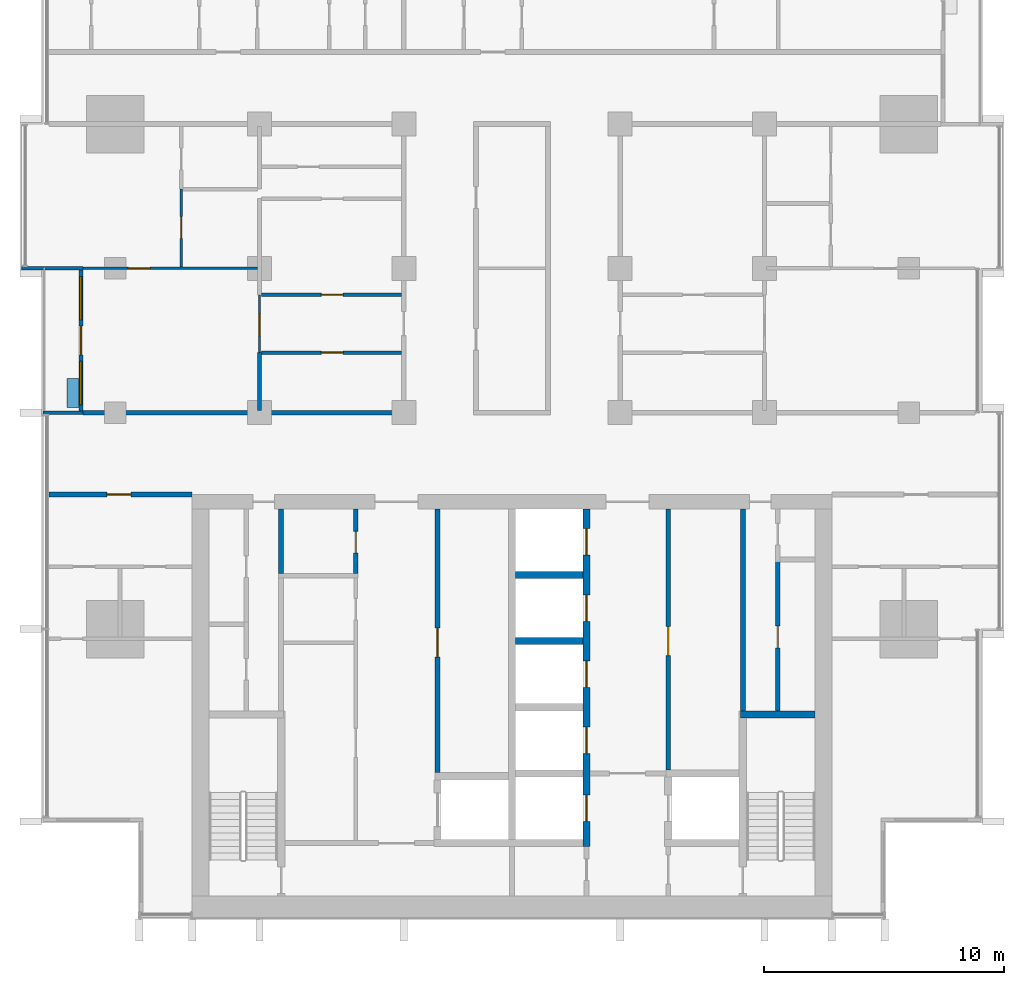
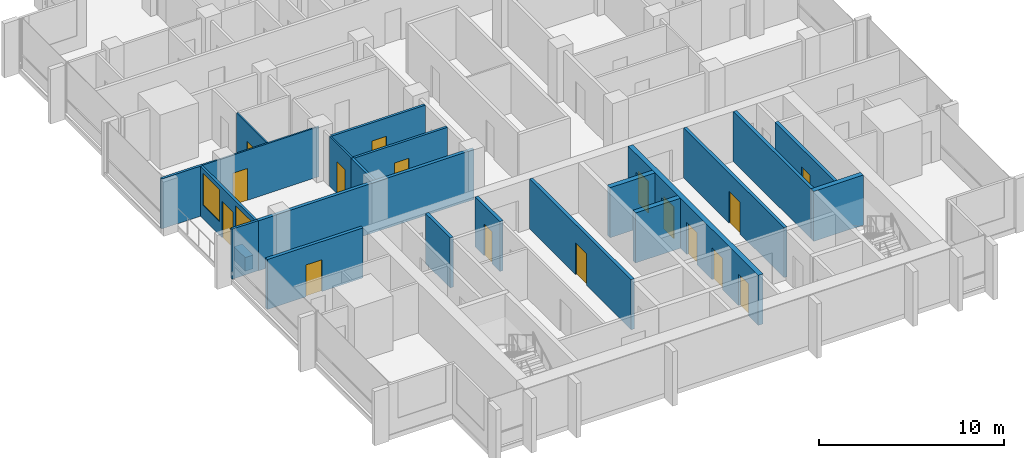
# One storey, part 8 of 17: 22 walls, 16 doors, 2 windows, 18 openings.
"""IFC4 building model written with IfcOpenShell, lengths in metres."""

from ifc_helpers import new_model, si_unit, direction, frame, frame_2d, origin, place, context, subcontext, project, spatial, rectangle, extrude, material, layer, layer_set, type_object, element, fill, save


model = new_model("IFC4")

# Units and contexts
model_context = context("Model", 3, precision=1e-05, world=origin(), true_north=direction((0.0, 1.0)))
body_context = subcontext(model_context, "Body", "Model", "MODEL_VIEW")
ifc_project = project(units=[si_unit("LENGTHUNIT", "METRE"), si_unit("AREAUNIT", "SQUARE_METRE"), si_unit("VOLUMEUNIT", "CUBIC_METRE"), si_unit("PLANEANGLEUNIT", "RADIAN"), si_unit("MASSUNIT", "GRAM", prefix="KILO")], contexts=[model_context])

# Site, building, storey
site_placement = place(None, origin())
site = spatial("IfcSite", under=ifc_project, at=site_placement, CompositionType="ELEMENT")
building_placement = place(site_placement, origin())
building = spatial("IfcBuilding", under=site, at=building_placement, Name="Finial Court Residences", CompositionType="ELEMENT")
storey_placement = place(building_placement, frame((0.0, 0.0, 192.5)))
storey = spatial("IfcBuildingStorey", under=building, at=storey_placement, Name="L48", CompositionType="ELEMENT", Elevation=192.5)

# Wall, opening, door
ifc_material_1 = material(Name="Gypsum board")
ifc_layer_1 = layer(ifc_material_1, 0.02490234375)
ifc_material_2 = material(Name="Acoustic mineral wool in double frame")
ifc_layer_2 = layer(ifc_material_2, 0.14990234375)
ifc_layer_3 = layer(ifc_material_1, 0.02490234375)
ifc_layer_set_1 = layer_set([ifc_layer_1, ifc_layer_2, ifc_layer_3], Name="Corridor wall 200, 1 hour")
wall_type_1 = type_object("IfcWallType", Name="Corridor wall 200, 1 hour", PredefinedType="PARTITIONING", material=ifc_layer_set_1)
wall_1_placement = place(storey_placement, frame((-19.262451171875, -7.89990234375, 0.0), z_axis=(0.0, 0.0, 1.0), x_axis=(1.0, 0.0, 0.0)))
wall_1 = element("IfcWall", 1, at=wall_1_placement, inside=storey, type_object=wall_type_1, Name="Partition L48-004", PredefinedType="PARTITIONING", context=body_context, shape_type="SweptSolid", body=[
    extrude(rectangle(XDim=5.96240234375, YDim=0.199951171875, at=frame_2d((2.981201171875, 0.0))), origin(), (0.0, 0.0, 1.0), 3.300048828125),
])
opening_1_placement = place(wall_1_placement, frame((2.412109375, 0.0, 0.0)))
opening_1 = element("IfcOpeningElement", 2, at=opening_1_placement, cuts=wall_1, Name="Opening L48-D007", PredefinedType="OPENING", context=body_context, shape_type="SweptSolid", body=[
    extrude(rectangle(XDim=1.0, YDim=2.10009765625, at=frame_2d((0.5, 1.050048828125))), frame((0.0, 0.10986328125, 0.0), z_axis=(0.0, -1.0, 0.0), x_axis=(1.0, 0.0, 0.0)), (0.0, 0.0, 1.0), 0.219970703125),
])
ifc_material_3 = material(Name="Timber door leaf in hollow metal frame", Category="wood")
door_type_1 = type_object("IfcDoorType", Name="Fire door set 1000 x 2100, 30 minutes", OperationType="SINGLE_SWING_LEFT", PredefinedType="DOOR", material=ifc_material_3)
door_1_placement = place(opening_1_placement, origin())
door_1 = element("IfcDoor", 3, at=door_1_placement, inside=storey, type_object=door_type_1, Name="Door L48-D007", OperationType="SINGLE_SWING_LEFT", OverallHeight=2.10009765625, OverallWidth=1.0, PredefinedType="DOOR", context=body_context, shape_type="SweptSolid", body=[
    extrude(rectangle(XDim=1.0, YDim=2.10009765625, at=frame_2d((0.5, 1.050048828125))), frame((0.0, 0.02490234375, 0.0), z_axis=(0.0, -1.0, 0.0), x_axis=(1.0, 0.0, 0.0)), (0.0, 0.0, 1.0), 0.050048828125),
])
fill(opening_1, door_1)

# Wall
wall_2_placement = place(storey_placement, frame((-17.85009765625, -4.5, 0.0), z_axis=(0.0, 0.0, 1.0), x_axis=(1.0, 0.0, 0.0)))
element("IfcWall", 4, at=wall_2_placement, inside=storey, type_object=wall_type_1, Name="Partition L48-006", PredefinedType="PARTITIONING", context=body_context, shape_type="SweptSolid", body=[
    extrude(rectangle(XDim=13.4501953125, YDim=0.199951171875, at=frame_2d((6.72509765625, 0.0))), origin(), (0.0, 0.0, 1.0), 3.300048828125),
])

# Wall, opening, door
ifc_layer_4 = layer(ifc_material_1, 0.012451171875)
ifc_material_4 = material(Name="Mineral wool in light-gauge frame")
ifc_layer_5 = layer(ifc_material_4, 0.074951171875)
ifc_layer_6 = layer(ifc_material_1, 0.012451171875)
ifc_layer_set_2 = layer_set([ifc_layer_4, ifc_layer_5, ifc_layer_6], Name="Gypsum board partition 100")
wall_type_2 = type_object("IfcWallType", Name="Gypsum board partition 100", PredefinedType="PARTITIONING", material=ifc_layer_set_2)
wall_3_placement = place(storey_placement, frame((-17.85009765625, 1.5, 0.0), z_axis=(0.0, 0.0, 1.0), x_axis=(1.0, 0.0, 0.0)))
wall_3 = element("IfcWall", 5, at=wall_3_placement, inside=storey, type_object=wall_type_2, Name="Partition L48-013", PredefinedType="PARTITIONING", context=body_context, shape_type="SweptSolid", body=[
    extrude(rectangle(XDim=7.275146484375, YDim=0.10009765625, at=frame_2d((3.6376953125, 0.0))), origin(), (0.0, 0.0, 1.0), 3.300048828125),
])
opening_2_placement = place(wall_3_placement, frame((1.89990234375, 0.0, 0.0)))
opening_2 = element("IfcOpeningElement", 6, at=opening_2_placement, cuts=wall_3, Name="Opening L48-D013", PredefinedType="OPENING", context=body_context, shape_type="SweptSolid", body=[
    extrude(rectangle(XDim=0.89990234375, YDim=2.10009765625, at=frame_2d((0.449951171875, 1.050048828125))), frame((0.0, 0.06005859375, 0.0), z_axis=(0.0, -1.0, 0.0), x_axis=(1.0, 0.0, 0.0)), (0.0, 0.0, 1.0), 0.1201171875),
])
ifc_material_5 = material(Name="Timber door leaf in timber frame", Category="wood")
door_type_2 = type_object("IfcDoorType", Name="Door set 900 x 2100", OperationType="SINGLE_SWING_LEFT", PredefinedType="DOOR", material=ifc_material_5)
door_2_placement = place(opening_2_placement, origin())
door_2 = element("IfcDoor", 7, at=door_2_placement, inside=storey, type_object=door_type_2, Name="Door L48-D013", OperationType="SINGLE_SWING_RIGHT", OverallHeight=2.10009765625, OverallWidth=0.89990234375, PredefinedType="DOOR", context=body_context, shape_type="SweptSolid", body=[
    extrude(rectangle(XDim=0.89990234375, YDim=2.10009765625, at=frame_2d((0.449951171875, 1.050048828125))), frame((0.0, 0.02490234375, 0.0), z_axis=(0.0, -1.0, 0.0), x_axis=(1.0, 0.0, 0.0)), (0.0, 0.0, 1.0), 0.050048828125),
])
fill(opening_2, door_2)

wall_4_placement = place(storey_placement, frame((-13.75, 1.550048828125, 0.0), z_axis=(0.0, 0.0, 1.0), x_axis=(0.0, 1.0, 0.0)))
wall_4 = element("IfcWall", 8, at=wall_4_placement, inside=storey, type_object=wall_type_2, Name="Partition L48-037", PredefinedType="PARTITIONING", context=body_context, shape_type="SweptSolid", body=[
    extrude(rectangle(XDim=3.25, YDim=0.10009765625, at=frame_2d((1.625, 0.0))), origin(), (0.0, 0.0, 1.0), 3.300048828125),
])
opening_3_placement = place(wall_4_placement, frame((1.199951171875, 0.0, 0.0)))
opening_3 = element("IfcOpeningElement", 9, at=opening_3_placement, cuts=wall_4, Name="Opening L48-D025", PredefinedType="OPENING", context=body_context, shape_type="SweptSolid", body=[
    extrude(rectangle(XDim=0.89990234375, YDim=2.10009765625, at=frame_2d((0.449951171875, 1.050048828125))), frame((0.0, 0.06005859375, 0.0), z_axis=(0.0, -1.0, 0.0), x_axis=(1.0, 0.0, 0.0)), (0.0, 0.0, 1.0), 0.1201171875),
])
door_3_placement = place(opening_3_placement, origin())
door_3 = element("IfcDoor", 10, at=door_3_placement, inside=storey, type_object=door_type_2, Name="Door L48-D025", OperationType="SINGLE_SWING_RIGHT", OverallHeight=2.10009765625, OverallWidth=0.89990234375, PredefinedType="DOOR", context=body_context, shape_type="SweptSolid", body=[
    extrude(rectangle(XDim=0.89990234375, YDim=2.10009765625, at=frame_2d((0.449951171875, 1.050048828125))), frame((0.0, 0.02490234375, 0.0), z_axis=(0.0, -1.0, 0.0), x_axis=(1.0, 0.0, 0.0)), (0.0, 0.0, 1.0), 0.050048828125),
])
fill(opening_3, door_3)

wall_5_placement = place(storey_placement, frame((-10.5, -2.0, 0.0), z_axis=(0.0, 0.0, 1.0), x_axis=(0.0, 1.0, 0.0)))
wall_5 = element("IfcWall", 11, at=wall_5_placement, inside=storey, type_object=wall_type_2, Name="Partition L48-041", PredefinedType="PARTITIONING", context=body_context, shape_type="SweptSolid", body=[
    extrude(rectangle(XDim=2.39990234375, YDim=0.10009765625, at=frame_2d((1.199951171875, 0.0))), origin(), (0.0, 0.0, 1.0), 3.300048828125),
])
opening_4_placement = place(wall_5_placement, frame((0.699951171875, 0.0, 0.0)))
opening_4 = element("IfcOpeningElement", 12, at=opening_4_placement, cuts=wall_5, Name="Opening L48-D029", PredefinedType="OPENING", context=body_context, shape_type="SweptSolid", body=[
    extrude(rectangle(XDim=0.89990234375, YDim=2.10009765625, at=frame_2d((0.449951171875, 1.050048828125))), frame((0.0, 0.06005859375, 0.0), z_axis=(0.0, -1.0, 0.0), x_axis=(1.0, 0.0, 0.0)), (0.0, 0.0, 1.0), 0.1201171875),
])
door_4_placement = place(opening_4_placement, origin())
door_4 = element("IfcDoor", 13, at=door_4_placement, inside=storey, type_object=door_type_2, Name="Door L48-D029", OperationType="SINGLE_SWING_LEFT", OverallHeight=2.10009765625, OverallWidth=0.89990234375, PredefinedType="DOOR", context=body_context, shape_type="SweptSolid", body=[
    extrude(rectangle(XDim=0.89990234375, YDim=2.10009765625, at=frame_2d((0.449951171875, 1.050048828125))), frame((0.0, 0.02490234375, 0.0), z_axis=(0.0, -1.0, 0.0), x_axis=(1.0, 0.0, 0.0)), (0.0, 0.0, 1.0), 0.050048828125),
])
fill(opening_4, door_4)

ifc_material_6 = material(Name="Moisture-resistant gypsum board")
ifc_layer_7 = layer(ifc_material_6, 0.012451171875)
ifc_layer_8 = layer(ifc_material_4, 0.125)
ifc_layer_9 = layer(ifc_material_6, 0.012451171875)
ifc_layer_set_3 = layer_set([ifc_layer_7, ifc_layer_8, ifc_layer_9], Name="Gypsum board wet-area partition 150")
wall_type_3 = type_object("IfcWallType", Name="Gypsum board wet-area partition 150", PredefinedType="PARTITIONING", material=ifc_layer_set_3)
wall_6_placement = place(storey_placement, frame((-10.425048828125, -2.0, 0.0), z_axis=(0.0, 0.0, 1.0), x_axis=(1.0, 0.0, 0.0)))
wall_6 = element("IfcWall", 14, at=wall_6_placement, inside=storey, type_object=wall_type_3, Name="Partition L48-009", PredefinedType="PARTITIONING", context=body_context, shape_type="SweptSolid", body=[
    extrude(rectangle(XDim=5.824951171875, YDim=0.14990234375, at=frame_2d((2.91259765625, 0.0))), origin(), (0.0, 0.0, 1.0), 3.300048828125),
])
opening_5_placement = place(wall_6_placement, frame((2.5, 0.0, 0.0)))
opening_5 = element("IfcOpeningElement", 15, at=opening_5_placement, cuts=wall_6, Name="Opening L48-D009", PredefinedType="OPENING", context=body_context, shape_type="SweptSolid", body=[
    extrude(rectangle(XDim=0.89990234375, YDim=2.10009765625, at=frame_2d((0.449951171875, 1.050048828125))), frame((0.0, 0.0849609375, 0.0), z_axis=(0.0, -1.0, 0.0), x_axis=(1.0, 0.0, 0.0)), (0.0, 0.0, 1.0), 0.169921875),
])
door_5_placement = place(opening_5_placement, origin())
door_5 = element("IfcDoor", 16, at=door_5_placement, inside=storey, type_object=door_type_2, Name="Door L48-D009", OperationType="SINGLE_SWING_LEFT", OverallHeight=2.10009765625, OverallWidth=0.89990234375, PredefinedType="DOOR", context=body_context, shape_type="SweptSolid", body=[
    extrude(rectangle(XDim=0.89990234375, YDim=2.10009765625, at=frame_2d((0.449951171875, 1.050048828125))), frame((0.0, 0.02490234375, 0.0), z_axis=(0.0, -1.0, 0.0), x_axis=(1.0, 0.0, 0.0)), (0.0, 0.0, 1.0), 0.050048828125),
])
fill(opening_5, door_5)

wall_7_placement = place(storey_placement, frame((-10.425048828125, 0.39990234375, 0.0), z_axis=(0.0, 0.0, 1.0), x_axis=(1.0, 0.0, 0.0)))
wall_7 = element("IfcWall", 17, at=wall_7_placement, inside=storey, type_object=wall_type_3, Name="Partition L48-011", PredefinedType="PARTITIONING", context=body_context, shape_type="SweptSolid", body=[
    extrude(rectangle(XDim=5.824951171875, YDim=0.14990234375, at=frame_2d((2.91259765625, 0.0))), origin(), (0.0, 0.0, 1.0), 3.300048828125),
])
opening_6_placement = place(wall_7_placement, frame((2.5, 0.0, 0.0)))
opening_6 = element("IfcOpeningElement", 18, at=opening_6_placement, cuts=wall_7, Name="Opening L48-D011", PredefinedType="OPENING", context=body_context, shape_type="SweptSolid", body=[
    extrude(rectangle(XDim=0.89990234375, YDim=2.10009765625, at=frame_2d((0.449951171875, 1.050048828125))), frame((0.0, 0.0849609375, 0.0), z_axis=(0.0, -1.0, 0.0), x_axis=(1.0, 0.0, 0.0)), (0.0, 0.0, 1.0), 0.169921875),
])
door_6_placement = place(opening_6_placement, origin())
door_6 = element("IfcDoor", 19, at=door_6_placement, inside=storey, type_object=door_type_2, Name="Door L48-D011", OperationType="SINGLE_SWING_RIGHT", OverallHeight=2.10009765625, OverallWidth=0.89990234375, PredefinedType="DOOR", context=body_context, shape_type="SweptSolid", body=[
    extrude(rectangle(XDim=0.89990234375, YDim=2.10009765625, at=frame_2d((0.449951171875, 1.050048828125))), frame((0.0, 0.02490234375, 0.0), z_axis=(0.0, -1.0, 0.0), x_axis=(1.0, 0.0, 0.0)), (0.0, 0.0, 1.0), 0.050048828125),
])
fill(opening_6, door_6)

# Walls
wall_8_placement = place(storey_placement, frame((-10.5, -4.39990234375, 0.0), z_axis=(0.0, 0.0, 1.0), x_axis=(0.0, 1.0, 0.0)))
element("IfcWall", 20, at=wall_8_placement, inside=storey, type_object=wall_type_3, Name="Partition L48-043", PredefinedType="PARTITIONING", context=body_context, shape_type="SweptSolid", body=[
    extrude(rectangle(XDim=2.39990234375, YDim=0.14990234375, at=frame_2d((1.199951171875, 0.0))), origin(), (0.0, 0.0, 1.0), 3.300048828125),
])
ifc_material_7 = material(Name="Concrete C70/85", Category="concrete")
ifc_layer_10 = layer(ifc_material_7, 0.300048828125)
ifc_layer_set_4 = layer_set([ifc_layer_10], Name="Lift shaft and stair wall 300 Concrete C70/85")
wall_type_4 = type_object("IfcWallType", Name="Lift shaft and stair wall 300 Concrete C70/85", PredefinedType="SHEAR", material=ifc_layer_set_4)
wall_9_placement = place(storey_placement, frame((9.5, -17.050048828125, 0.0), z_axis=(0.0, 0.0, 1.0), x_axis=(1.0, 0.0, 0.0)))
element("IfcWall", 21, at=wall_9_placement, inside=storey, type_object=wall_type_4, Name="Core wall L48-09", PredefinedType="SHEAR", context=body_context, shape_type="SweptSolid", body=[
    extrude(rectangle(XDim=3.10009765625, YDim=0.300048828125, at=frame_2d((1.550048828125, 0.0))), origin(), (0.0, 0.0, 1.0), 3.300048828125),
])
for number, where, z_axis, x_axis, name in (
    (22, (0.14990234375, -14.0, 0.0), (0.0, 0.0, 1.0), (1.0, 0.0, 0.0), "Core wall L48-12"),
    (23, (0.14990234375, -11.25, 0.0), (0.0, 0.0, 1.0), (1.0, 0.0, 0.0), "Core wall L48-15"),
):
    element("IfcWall", number, at=place(storey_placement, frame(where, z_axis=z_axis, x_axis=x_axis)), inside=storey, type_object=wall_type_4, Name=name, PredefinedType="SHEAR", context=body_context, shape_type="SweptSolid", body=[
        extrude(rectangle(XDim=2.800048828125, YDim=0.300048828125, at=frame_2d((1.39990234375, 0.0))), origin(), (0.0, 0.0, 1.0), 3.300048828125),
    ])

# Wall, openings, doors
wall_10_placement = place(storey_placement, frame((3.10009765625, -22.550048828125, 0.0), z_axis=(0.0, 0.0, 1.0), x_axis=(0.0, 1.0, 0.0)))
wall_10 = element("IfcWall", 24, at=wall_10_placement, inside=storey, type_object=wall_type_4, Name="Core wall L48-29", PredefinedType="SHEAR", context=body_context, shape_type="SweptSolid", body=[
    extrude(rectangle(XDim=14.050048828125, YDim=0.300048828125, at=frame_2d((7.02490234375, 0.0))), origin(), (0.0, 0.0, 1.0), 3.300048828125),
])
opening_7_placement = place(wall_10_placement, frame((1.050048828125, 0.0, 0.0)))
opening_7 = element("IfcOpeningElement", 25, at=opening_7_placement, cuts=wall_10, Name="Opening L48-LD01", PredefinedType="OPENING", context=body_context, shape_type="SweptSolid", body=[
    extrude(rectangle(XDim=1.10009765625, YDim=2.10009765625, at=frame_2d((0.550048828125, 1.050048828125))), frame((0.0, 0.159912109375, 0.0), z_axis=(0.0, -1.0, 0.0), x_axis=(1.0, 0.0, 0.0)), (0.0, 0.0, 1.0), 0.320068359375),
])
opening_8_placement = place(wall_10_placement, frame((3.875, 0.0, 0.0)))
opening_8 = element("IfcOpeningElement", 26, at=opening_8_placement, cuts=wall_10, Name="Opening L48-LD03", PredefinedType="OPENING", context=body_context, shape_type="SweptSolid", body=[
    extrude(rectangle(XDim=1.10009765625, YDim=2.10009765625, at=frame_2d((0.550048828125, 1.050048828125))), frame((0.0, 0.159912109375, 0.0), z_axis=(0.0, -1.0, 0.0), x_axis=(1.0, 0.0, 0.0)), (0.0, 0.0, 1.0), 0.320068359375),
])
opening_9_placement = place(wall_10_placement, frame((6.625, 0.0, 0.0)))
opening_9 = element("IfcOpeningElement", 27, at=opening_9_placement, cuts=wall_10, Name="Opening L48-LD04", PredefinedType="OPENING", context=body_context, shape_type="SweptSolid", body=[
    extrude(rectangle(XDim=1.10009765625, YDim=2.10009765625, at=frame_2d((0.550048828125, 1.050048828125))), frame((0.0, 0.159912109375, 0.0), z_axis=(0.0, -1.0, 0.0), x_axis=(1.0, 0.0, 0.0)), (0.0, 0.0, 1.0), 0.320068359375),
])
opening_10_placement = place(wall_10_placement, frame((9.375, 0.0, 0.0)))
opening_10 = element("IfcOpeningElement", 28, at=opening_10_placement, cuts=wall_10, Name="Opening L48-LD05", PredefinedType="OPENING", context=body_context, shape_type="SweptSolid", body=[
    extrude(rectangle(XDim=1.10009765625, YDim=2.10009765625, at=frame_2d((0.550048828125, 1.050048828125))), frame((0.0, 0.159912109375, 0.0), z_axis=(0.0, -1.0, 0.0), x_axis=(1.0, 0.0, 0.0)), (0.0, 0.0, 1.0), 0.320068359375),
])
opening_11_placement = place(wall_10_placement, frame((12.125, 0.0, 0.0)))
opening_11 = element("IfcOpeningElement", 29, at=opening_11_placement, cuts=wall_10, Name="Opening L48-LD06", PredefinedType="OPENING", context=body_context, shape_type="SweptSolid", body=[
    extrude(rectangle(XDim=1.10009765625, YDim=2.10009765625, at=frame_2d((0.550048828125, 1.050048828125))), frame((0.0, 0.159912109375, 0.0), z_axis=(0.0, -1.0, 0.0), x_axis=(1.0, 0.0, 0.0)), (0.0, 0.0, 1.0), 0.320068359375),
])
ifc_material_8 = material(Name="Stainless steel lift door", Category="steel")
door_type_3 = type_object("IfcDoorType", Name="Lift landing door 1100 x 2100 EI 90", OperationType="DOUBLE_DOOR_SLIDING", PredefinedType="DOOR", material=ifc_material_8)
door_7_placement = place(opening_7_placement, origin())
door_7 = element("IfcDoor", 30, at=door_7_placement, inside=storey, type_object=door_type_3, Name="Lift landing door FF1 L48", OperationType="DOUBLE_DOOR_SLIDING", OverallHeight=2.10009765625, OverallWidth=1.10009765625, PredefinedType="DOOR", context=body_context, shape_type="SweptSolid", body=[
    extrude(rectangle(XDim=1.10009765625, YDim=2.10009765625, at=frame_2d((0.550048828125, 1.050048828125))), frame((0.0, 0.02490234375, 0.0), z_axis=(0.0, -1.0, 0.0), x_axis=(1.0, 0.0, 0.0)), (0.0, 0.0, 1.0), 0.050048828125),
])
fill(opening_7, door_7)
door_8_placement = place(opening_8_placement, origin())
door_8 = element("IfcDoor", 31, at=door_8_placement, inside=storey, type_object=door_type_3, Name="Lift landing door HR1 L48", OperationType="DOUBLE_DOOR_SLIDING", OverallHeight=2.10009765625, OverallWidth=1.10009765625, PredefinedType="DOOR", context=body_context, shape_type="SweptSolid", body=[
    extrude(rectangle(XDim=1.10009765625, YDim=2.10009765625, at=frame_2d((0.550048828125, 1.050048828125))), frame((0.0, 0.02490234375, 0.0), z_axis=(0.0, -1.0, 0.0), x_axis=(1.0, 0.0, 0.0)), (0.0, 0.0, 1.0), 0.050048828125),
])
fill(opening_8, door_8)
door_9_placement = place(opening_9_placement, origin())
door_9 = element("IfcDoor", 32, at=door_9_placement, inside=storey, type_object=door_type_3, Name="Lift landing door HR2 L48", OperationType="DOUBLE_DOOR_SLIDING", OverallHeight=2.10009765625, OverallWidth=1.10009765625, PredefinedType="DOOR", context=body_context, shape_type="SweptSolid", body=[
    extrude(rectangle(XDim=1.10009765625, YDim=2.10009765625, at=frame_2d((0.550048828125, 1.050048828125))), frame((0.0, 0.02490234375, 0.0), z_axis=(0.0, -1.0, 0.0), x_axis=(1.0, 0.0, 0.0)), (0.0, 0.0, 1.0), 0.050048828125),
])
fill(opening_9, door_9)
door_10_placement = place(opening_10_placement, origin())
door_10 = element("IfcDoor", 33, at=door_10_placement, inside=storey, type_object=door_type_3, Name="Lift landing door HR3 L48", OperationType="DOUBLE_DOOR_SLIDING", OverallHeight=2.10009765625, OverallWidth=1.10009765625, PredefinedType="DOOR", context=body_context, shape_type="SweptSolid", body=[
    extrude(rectangle(XDim=1.10009765625, YDim=2.10009765625, at=frame_2d((0.550048828125, 1.050048828125))), frame((0.0, 0.02490234375, 0.0), z_axis=(0.0, -1.0, 0.0), x_axis=(1.0, 0.0, 0.0)), (0.0, 0.0, 1.0), 0.050048828125),
])
fill(opening_10, door_10)
door_11_placement = place(opening_11_placement, origin())
door_11 = element("IfcDoor", 34, at=door_11_placement, inside=storey, type_object=door_type_3, Name="Lift landing door HR4 L48", OperationType="DOUBLE_DOOR_SLIDING", OverallHeight=2.10009765625, OverallWidth=1.10009765625, PredefinedType="DOOR", context=body_context, shape_type="SweptSolid", body=[
    extrude(rectangle(XDim=1.10009765625, YDim=2.10009765625, at=frame_2d((0.550048828125, 1.050048828125))), frame((0.0, 0.02490234375, 0.0), z_axis=(0.0, -1.0, 0.0), x_axis=(1.0, 0.0, 0.0)), (0.0, 0.0, 1.0), 0.050048828125),
])
fill(opening_11, door_11)

# Walls
ifc_material_9 = material(Name="Natural limestone", Category="masonry")
ifc_layer_11 = layer(ifc_material_9, 0.14990234375)
ifc_layer_set_5 = layer_set([ifc_layer_11], Name="Limestone clad wall 150")
wall_type_5 = type_object("IfcWallType", Name="Limestone clad wall 150", PredefinedType="SOLIDWALL", material=ifc_layer_set_5)
wall_11_placement = place(storey_placement, frame((-17.85009765625, -4.5, 0.0), z_axis=(0.0, 0.0, 1.0), x_axis=(-1.0, 0.0, 0.0)))
element("IfcWall", 35, at=wall_11_placement, inside=storey, type_object=wall_type_5, Name="E-L48-BALW3-P1", PredefinedType="SOLIDWALL", context=body_context, shape_type="SweptSolid", body=[
    extrude(rectangle(XDim=1.64990234375, YDim=0.14990234375, at=frame_2d((0.824951171875, 0.0))), origin(), (0.0, 0.0, 1.0), 3.300048828125),
])
wall_12_placement = place(storey_placement, frame((-17.85009765625, 1.5, 0.0), z_axis=(0.0, 0.0, 1.0), x_axis=(-1.0, 0.0, 0.0)))
element("IfcWall", 36, at=wall_12_placement, inside=storey, type_object=wall_type_5, Name="E-L48-BALW3-P2", PredefinedType="SOLIDWALL", context=body_context, shape_type="SweptSolid", body=[
    extrude(rectangle(XDim=2.5498046875, YDim=0.14990234375, at=frame_2d((1.27490234375, 0.0))), origin(), (0.0, 0.0, 1.0), 3.300048828125),
])

# Wall, openings, door, windows
wall_13_placement = place(storey_placement, frame((-17.925048828125, -4.425048828125, 0.0), z_axis=(0.0, 0.0, 1.0), x_axis=(0.0, 1.0, 0.0)))
wall_13 = element("IfcWall", 37, at=wall_13_placement, inside=storey, type_object=wall_type_5, Name="E-L48-L48-BALW3-W", PredefinedType="SOLIDWALL", context=body_context, shape_type="SweptSolid", body=[
    extrude(rectangle(XDim=5.85009765625, YDim=0.14990234375, at=frame_2d((2.925048828125, 0.0))), origin(), (0.0, 0.0, 1.0), 3.300048828125),
])
opening_12_placement = place(wall_13_placement, frame((2.324951171875, 0.0, 0.0)))
opening_12 = element("IfcOpeningElement", 38, at=opening_12_placement, cuts=wall_13, Name="Opening DE48-03", PredefinedType="OPENING", context=body_context, shape_type="SweptSolid", body=[
    extrude(rectangle(XDim=1.199951171875, YDim=2.39990234375, at=frame_2d((0.60009765625, 1.199951171875))), frame((0.0, 0.0849609375, 0.0), z_axis=(0.0, -1.0, 0.0), x_axis=(1.0, 0.0, 0.0)), (0.0, 0.0, 1.0), 0.169921875),
])
opening_13_placement = place(wall_13_placement, frame((0.262451171875, 0.0, 0.89990234375)))
opening_13 = element("IfcOpeningElement", 39, at=opening_13_placement, cuts=wall_13, Name="Opening WE48-12", PredefinedType="OPENING", context=body_context, shape_type="SweptSolid", body=[
    extrude(rectangle(XDim=1.800048828125, YDim=2.10009765625, at=frame_2d((0.89990234375, 1.050048828125))), frame((0.0, 0.0849609375, 0.0), z_axis=(0.0, -1.0, 0.0), x_axis=(1.0, 0.0, 0.0)), (0.0, 0.0, 1.0), 0.169921875),
])
opening_14_placement = place(wall_13_placement, frame((3.78759765625, 0.0, 0.89990234375)))
opening_14 = element("IfcOpeningElement", 40, at=opening_14_placement, cuts=wall_13, Name="Opening WE48-13", PredefinedType="OPENING", context=body_context, shape_type="SweptSolid", body=[
    extrude(rectangle(XDim=1.800048828125, YDim=2.10009765625, at=frame_2d((0.89990234375, 1.050048828125))), frame((0.0, 0.0849609375, 0.0), z_axis=(0.0, -1.0, 0.0), x_axis=(1.0, 0.0, 0.0)), (0.0, 0.0, 1.0), 0.169921875),
])
ifc_material_10 = material(Name="Bronze anodised aluminium", Category="aluminium")
door_type_4 = type_object("IfcDoorType", Name="Balcony door 1200 x 2400", OperationType="SINGLE_SWING_LEFT", PredefinedType="DOOR", material=ifc_material_10)
door_12_placement = place(opening_12_placement, origin())
door_12 = element("IfcDoor", 41, at=door_12_placement, inside=storey, type_object=door_type_4, Name="E-L48-L48-BALW3-W-D", OperationType="SINGLE_SWING_LEFT", OverallHeight=2.39990234375, OverallWidth=1.199951171875, PredefinedType="DOOR", context=body_context, shape_type="SweptSolid", body=[
    extrude(rectangle(XDim=1.199951171875, YDim=2.39990234375, at=frame_2d((0.60009765625, 1.199951171875))), frame((0.0, 0.02490234375, 0.0), z_axis=(0.0, -1.0, 0.0), x_axis=(1.0, 0.0, 0.0)), (0.0, 0.0, 1.0), 0.050048828125),
])
fill(opening_12, door_12)
ifc_material_11 = material(Name="Clear low-e glass", Category="glass")
window_type = type_object("IfcWindowType", Name="Balcony window 1800 x 2100", PartitioningType="SINGLE_PANEL", PredefinedType="WINDOW", material=ifc_material_11)
window_1_placement = place(opening_13_placement, origin())
window_1 = element("IfcWindow", 42, at=window_1_placement, inside=storey, type_object=window_type, Name="E-L48-L48-BALW3-W-W1", OverallHeight=2.10009765625, OverallWidth=1.800048828125, PartitioningType="SINGLE_PANEL", PredefinedType="WINDOW", context=body_context, shape_type="SweptSolid", body=[
    extrude(rectangle(XDim=1.800048828125, YDim=2.10009765625, at=frame_2d((0.89990234375, 1.050048828125))), frame((0.0, 0.030029296875, 0.0), z_axis=(0.0, -1.0, 0.0), x_axis=(1.0, 0.0, 0.0)), (0.0, 0.0, 1.0), 0.06005859375),
])
fill(opening_13, window_1)
window_2_placement = place(opening_14_placement, origin())
window_2 = element("IfcWindow", 43, at=window_2_placement, inside=storey, type_object=window_type, Name="E-L48-L48-BALW3-W-W2", OverallHeight=2.10009765625, OverallWidth=1.800048828125, PartitioningType="SINGLE_PANEL", PredefinedType="WINDOW", context=body_context, shape_type="SweptSolid", body=[
    extrude(rectangle(XDim=1.800048828125, YDim=2.10009765625, at=frame_2d((0.89990234375, 1.050048828125))), frame((0.0, 0.030029296875, 0.0), z_axis=(0.0, -1.0, 0.0), x_axis=(1.0, 0.0, 0.0)), (0.0, 0.0, 1.0), 0.06005859375),
])
fill(opening_14, window_2)

# Walls
ifc_material_12 = material(Name="Concrete C40/50", Category="concrete")
ifc_layer_12 = layer(ifc_material_12, 0.10009765625)
ifc_material_13 = material(Name="Planting soil", Category="soil")
ifc_layer_13 = layer(ifc_material_13, 0.300048828125)
ifc_layer_14 = layer(ifc_material_12, 0.10009765625)
ifc_layer_set_6 = layer_set([ifc_layer_12, ifc_layer_13, ifc_layer_14], Name="Planter wall, balcony")
wall_type_6 = type_object("IfcWallType", Name="Planter wall, balcony", PredefinedType="USERDEFINED", material=ifc_layer_set_6)
wall_14_placement = place(storey_placement, frame((-18.25, -4.27490234375, 0.0), z_axis=(0.0, 0.0, 1.0), x_axis=(0.0, 1.0, 0.0)))
element("IfcWall", 44, at=wall_14_placement, inside=storey, type_object=wall_type_6, Name="E-L48-BALW3-PL", ObjectType="PLANTER", PredefinedType="USERDEFINED", context=body_context, shape_type="SweptSolid", body=[
    extrude(rectangle(XDim=1.199951171875, YDim=0.5, at=frame_2d((0.60009765625, 0.0))), origin(), (0.0, 0.0, 1.0), 0.89990234375),
])
ifc_material_14 = material(Name="Fire-rated gypsum board partition")
ifc_layer_15 = layer(ifc_material_14, 0.199951171875)
ifc_layer_set_7 = layer_set([ifc_layer_15], Name="Riser room wall 200 EI 120")
wall_type_7 = type_object("IfcWallType", Name="Riser room wall 200 EI 120", PredefinedType="PARTITIONING", material=ifc_layer_set_7)
wall_15_placement = place(storey_placement, frame((-9.60009765625, -11.179931640625, 0.0), z_axis=(0.0, 0.0, 1.0), x_axis=(0.0, 1.0, 0.0)))
element("IfcWall", 45, at=wall_15_placement, inside=storey, type_object=wall_type_7, Name="Core partition L48-21", PredefinedType="PARTITIONING", context=body_context, shape_type="SweptSolid", body=[
    extrude(rectangle(XDim=2.679931640625, YDim=0.199951171875, at=frame_2d((1.33984375, 0.0))), origin(), (0.0, 0.0, 1.0), 3.300048828125),
])

# Wall, opening, door
wall_16_placement = place(storey_placement, frame((-6.5, -11.179931640625, 0.0), z_axis=(0.0, 0.0, 1.0), x_axis=(0.0, 1.0, 0.0)))
wall_16 = element("IfcWall", 46, at=wall_16_placement, inside=storey, type_object=wall_type_7, Name="Core partition L48-23", PredefinedType="PARTITIONING", context=body_context, shape_type="SweptSolid", body=[
    extrude(rectangle(XDim=2.679931640625, YDim=0.199951171875, at=frame_2d((1.33984375, 0.0))), origin(), (0.0, 0.0, 1.0), 3.300048828125),
])
opening_15_placement = place(wall_16_placement, frame((0.840087890625, 0.0, 0.0)))
opening_15 = element("IfcOpeningElement", 47, at=opening_15_placement, cuts=wall_16, Name="Opening L48-C09", PredefinedType="OPENING", context=body_context, shape_type="SweptSolid", body=[
    extrude(rectangle(XDim=0.89990234375, YDim=2.10009765625, at=frame_2d((0.449951171875, 1.050048828125))), frame((0.0, 0.10986328125, 0.0), z_axis=(0.0, -1.0, 0.0), x_axis=(1.0, 0.0, 0.0)), (0.0, 0.0, 1.0), 0.219970703125),
])
ifc_material_15 = material(Name="Steel fire door", Category="steel")
door_type_5 = type_object("IfcDoorType", Name="Riser room door 900 x 2100 EI 90", OperationType="NOTDEFINED", PredefinedType="DOOR", material=ifc_material_15)
door_13_placement = place(opening_15_placement, origin())
door_13 = element("IfcDoor", 48, at=door_13_placement, inside=storey, type_object=door_type_5, Name="Riser room door L48-C09", OperationType="SINGLE_SWING_LEFT", OverallHeight=2.10009765625, OverallWidth=0.89990234375, PredefinedType="DOOR", context=body_context, shape_type="SweptSolid", body=[
    extrude(rectangle(XDim=0.89990234375, YDim=2.10009765625, at=frame_2d((0.449951171875, 1.050048828125))), frame((0.0, 0.02490234375, 0.0), z_axis=(0.0, -1.0, 0.0), x_axis=(1.0, 0.0, 0.0)), (0.0, 0.0, 1.0), 0.050048828125),
])
fill(opening_15, door_13)

wall_17_placement = place(storey_placement, frame((-3.10009765625, -8.5, 0.0), z_axis=(0.0, 0.0, 1.0), x_axis=(0.0, -1.0, 0.0)))
wall_17 = element("IfcWall", 49, at=wall_17_placement, inside=storey, type_object=wall_type_7, Name="Core partition L48-25", PredefinedType="PARTITIONING", context=body_context, shape_type="SweptSolid", body=[
    extrude(rectangle(XDim=10.969970703125, YDim=0.199951171875, at=frame_2d((5.48486328125, 0.0))), origin(), (0.0, 0.0, 1.0), 3.300048828125),
])
opening_16_placement = place(wall_17_placement, frame((4.9599609375, 0.0, 0.0)))
opening_16 = element("IfcOpeningElement", 50, at=opening_16_placement, cuts=wall_17, Name="Opening L48-C10", PredefinedType="OPENING", context=body_context, shape_type="SweptSolid", body=[
    extrude(rectangle(XDim=1.199951171875, YDim=2.10009765625, at=frame_2d((0.60009765625, 1.050048828125))), frame((0.0, 0.10986328125, 0.0), z_axis=(0.0, -1.0, 0.0), x_axis=(1.0, 0.0, 0.0)), (0.0, 0.0, 1.0), 0.219970703125),
])
door_type_6 = type_object("IfcDoorType", Name="Riser room door 1200 x 2100 EI 90", OperationType="NOTDEFINED", PredefinedType="DOOR", material=ifc_material_15)
door_14_placement = place(opening_16_placement, origin())
door_14 = element("IfcDoor", 51, at=door_14_placement, inside=storey, type_object=door_type_6, Name="Riser room door L48-C10", OperationType="SINGLE_SWING_RIGHT", OverallHeight=2.10009765625, OverallWidth=1.199951171875, PredefinedType="DOOR", context=body_context, shape_type="SweptSolid", body=[
    extrude(rectangle(XDim=1.199951171875, YDim=2.10009765625, at=frame_2d((0.60009765625, 1.050048828125))), frame((0.0, 0.02490234375, 0.0), z_axis=(0.0, -1.0, 0.0), x_axis=(1.0, 0.0, 0.0)), (0.0, 0.0, 1.0), 0.050048828125),
])
fill(opening_16, door_14)

wall_18_placement = place(storey_placement, frame((6.5, -8.5, 0.0), z_axis=(0.0, 0.0, 1.0), x_axis=(0.0, -1.0, 0.0)))
wall_18 = element("IfcWall", 52, at=wall_18_placement, inside=storey, type_object=wall_type_7, Name="Core partition L48-32", PredefinedType="PARTITIONING", context=body_context, shape_type="SweptSolid", body=[
    extrude(rectangle(XDim=10.85009765625, YDim=0.199951171875, at=frame_2d((5.425048828125, 0.0))), origin(), (0.0, 0.0, 1.0), 3.300048828125),
])
opening_17_placement = place(wall_18_placement, frame((4.89990234375, 0.0, 0.0)))
opening_17 = element("IfcOpeningElement", 53, at=opening_17_placement, cuts=wall_18, Name="Opening L48-C11", PredefinedType="OPENING", context=body_context, shape_type="SweptSolid", body=[
    extrude(rectangle(XDim=1.199951171875, YDim=2.10009765625, at=frame_2d((0.60009765625, 1.050048828125))), frame((0.0, 0.10986328125, 0.0), z_axis=(0.0, -1.0, 0.0), x_axis=(1.0, 0.0, 0.0)), (0.0, 0.0, 1.0), 0.219970703125),
])
door_15_placement = place(opening_17_placement, origin())
door_15 = element("IfcDoor", 54, at=door_15_placement, inside=storey, type_object=door_type_6, Name="Riser room door L48-C11", OperationType="SINGLE_SWING_RIGHT", OverallHeight=2.10009765625, OverallWidth=1.199951171875, PredefinedType="DOOR", context=body_context, shape_type="SweptSolid", body=[
    extrude(rectangle(XDim=1.199951171875, YDim=2.10009765625, at=frame_2d((0.60009765625, 1.050048828125))), frame((0.0, 0.02490234375, 0.0), z_axis=(0.0, -1.0, 0.0), x_axis=(1.0, 0.0, 0.0)), (0.0, 0.0, 1.0), 0.050048828125),
])
fill(opening_17, door_15)

# Wall
wall_19_placement = place(storey_placement, frame((9.60009765625, -16.89990234375, 0.0), z_axis=(0.0, 0.0, 1.0), x_axis=(0.0, 1.0, 0.0)))
element("IfcWall", 55, at=wall_19_placement, inside=storey, type_object=wall_type_7, Name="Core partition L48-34", PredefinedType="PARTITIONING", context=body_context, shape_type="SweptSolid", body=[
    extrude(rectangle(XDim=8.39990234375, YDim=0.199951171875, at=frame_2d((4.199951171875, 0.0))), origin(), (0.0, 0.0, 1.0), 3.300048828125),
])

# Wall, opening, door
ifc_layer_16 = layer(ifc_material_14, 0.199951171875)
ifc_layer_set_8 = layer_set([ifc_layer_16], Name="Stair passage wall 200 EI 180")
wall_type_8 = type_object("IfcWallType", Name="Stair passage wall 200 EI 180", PredefinedType="PARTITIONING", material=ifc_layer_set_8)
wall_20_placement = place(storey_placement, frame((11.050048828125, -10.5, 0.0), z_axis=(0.0, 0.0, 1.0), x_axis=(0.0, -1.0, 0.0)))
wall_20 = element("IfcWall", 56, at=wall_20_placement, inside=storey, type_object=wall_type_8, Name="Core partition L48-35", PredefinedType="PARTITIONING", context=body_context, shape_type="SweptSolid", body=[
    extrude(rectangle(XDim=6.39990234375, YDim=0.199951171875, at=frame_2d((3.199951171875, 0.0))), origin(), (0.0, 0.0, 1.0), 3.300048828125),
])
opening_18_placement = place(wall_20_placement, frame((2.875, 0.0, 0.0)))
opening_18 = element("IfcOpeningElement", 57, at=opening_18_placement, cuts=wall_20, Name="Opening L48-C15", PredefinedType="OPENING", context=body_context, shape_type="SweptSolid", body=[
    extrude(rectangle(XDim=0.89990234375, YDim=2.10009765625, at=frame_2d((0.449951171875, 1.050048828125))), frame((0.0, 0.10986328125, 0.0), z_axis=(0.0, -1.0, 0.0), x_axis=(1.0, 0.0, 0.0)), (0.0, 0.0, 1.0), 0.219970703125),
])
door_type_7 = type_object("IfcDoorType", Name="Core room door 900 x 2100 EI 60", OperationType="NOTDEFINED", PredefinedType="DOOR", material=ifc_material_15)
door_16_placement = place(opening_18_placement, origin())
door_16 = element("IfcDoor", 58, at=door_16_placement, inside=storey, type_object=door_type_7, Name="Core room door L48-C15", OperationType="SINGLE_SWING_LEFT", OverallHeight=2.10009765625, OverallWidth=0.89990234375, PredefinedType="DOOR", context=body_context, shape_type="SweptSolid", body=[
    extrude(rectangle(XDim=0.89990234375, YDim=2.10009765625, at=frame_2d((0.449951171875, 1.050048828125))), frame((0.0, 0.02490234375, 0.0), z_axis=(0.0, -1.0, 0.0), x_axis=(1.0, 0.0, 0.0)), (0.0, 0.0, 1.0), 0.050048828125),
])
fill(opening_18, door_16)

save(model, "model.ifc")
